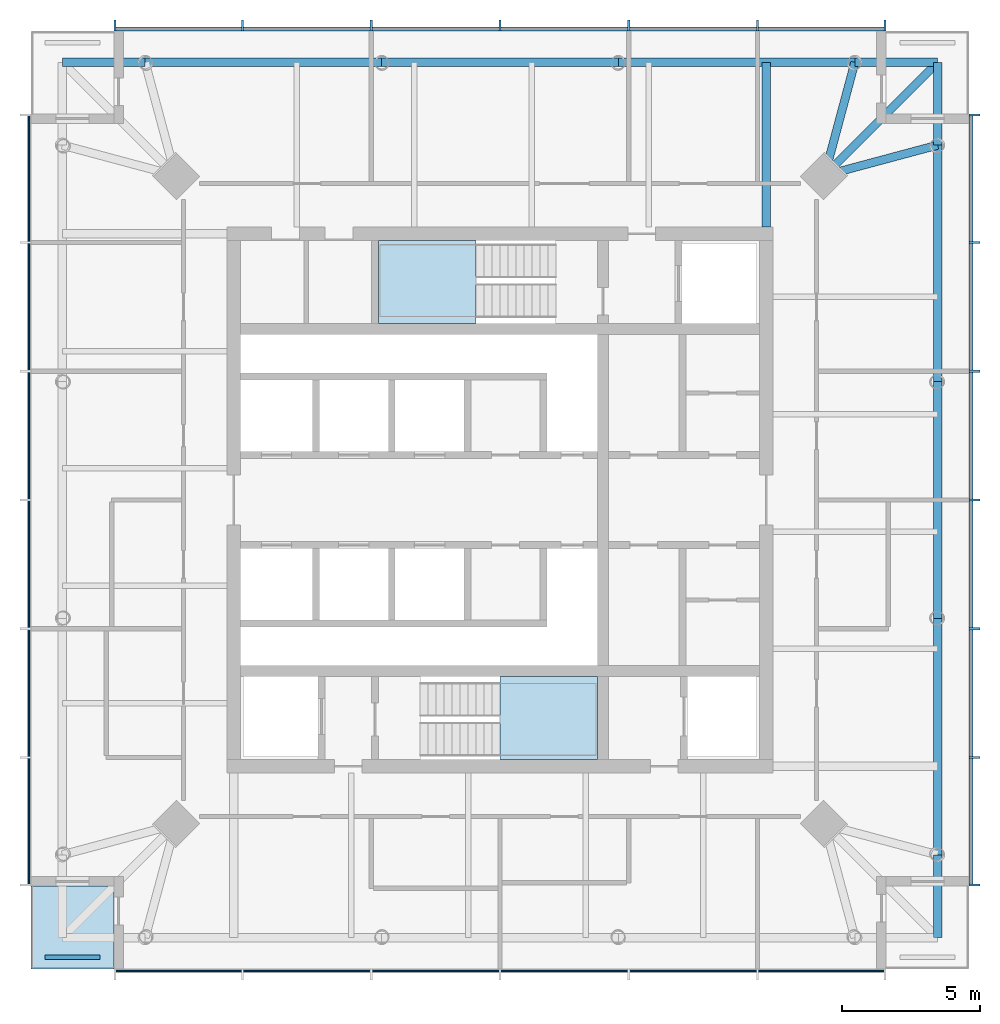
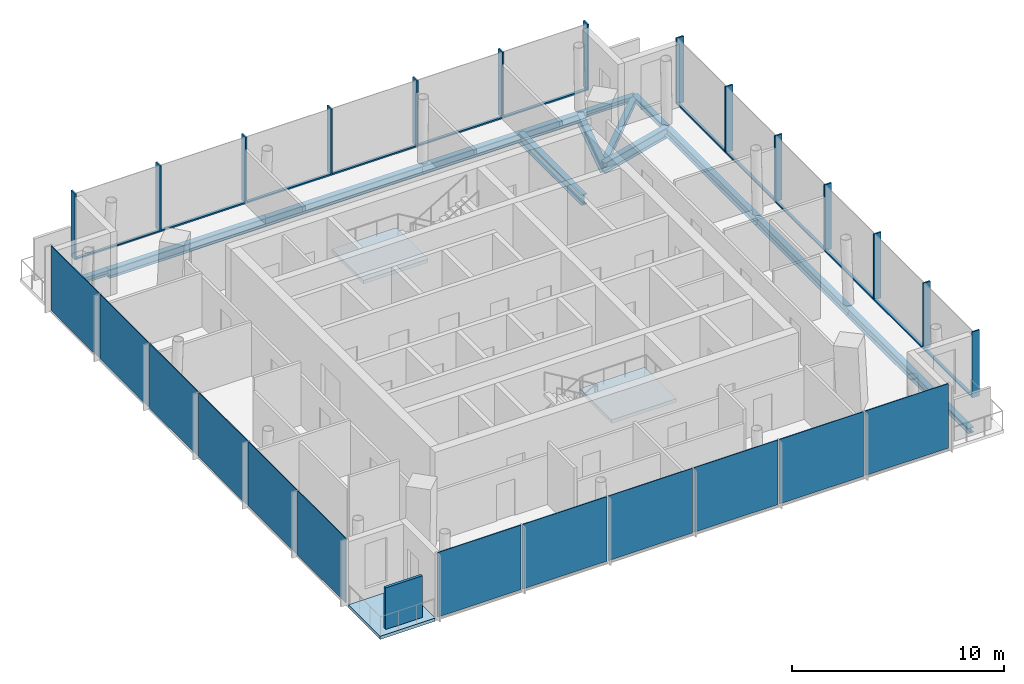
# One storey, part 2 of 7: 26 members, 14 beams, 13 plates, 3 slabs, 6 elements without a shape of their own.
"""IFC4 building model written with IfcOpenShell, lengths in metres."""

from ifc_helpers import new_model, si_unit, direction, frame, origin, origin_2d, place, context, subcontext, project, spatial, polyline, rectangle, i_section, outline, extrude, material, layer, layer_set, material_profile, profile_set, type_object, element, aggregate, save


model = new_model("IFC4")

# Units and contexts
model_context = context("Model", 3, precision=1e-05, world=origin(), true_north=direction((0.0, 1.0)))
body_context = subcontext(model_context, "Body", "Model", "MODEL_VIEW")
ifc_project = project(units=[si_unit("LENGTHUNIT", "METRE"), si_unit("AREAUNIT", "SQUARE_METRE"), si_unit("VOLUMEUNIT", "CUBIC_METRE"), si_unit("PLANEANGLEUNIT", "RADIAN"), si_unit("MASSUNIT", "GRAM", prefix="KILO")], contexts=[model_context])

# Site, building, storey
site_placement = place(None, origin())
site = spatial("IfcSite", under=ifc_project, at=site_placement, CompositionType="ELEMENT")
building_placement = place(site_placement, origin())
building = spatial("IfcBuilding", under=site, at=building_placement, Name="Ostroluk Exchange", CompositionType="ELEMENT")
storey_placement = place(building_placement, frame((0.0, 0.0, 275.60009765625)))
storey = spatial("IfcBuildingStorey", under=building, at=storey_placement, Name="L71", CompositionType="ELEMENT", Elevation=275.60009765625)

# Beams
ifc_material_1 = material(Name="Steel S355", Category="steel")
ifc_material_profile_1 = material_profile(ifc_material_1, i_section(OverallWidth=0.300048828125, OverallDepth=0.300048828125, WebThickness=0.010986328125, FlangeThickness=0.01904296875, FilletRadius=0.027099609375, at=origin_2d()), Name="HEB 300")
ifc_profile_set_1 = profile_set([ifc_material_profile_1], Name="Steel S355")
beam_type_1 = type_object("IfcBeamType", Name="Balcony beam HEB 300", PredefinedType="BEAM", material=ifc_profile_set_1)
for number, where, z_axis, x_axis, name in (
    (1, (60.8642578125, 58.8642578125, -0.330078125), (0.0, 1.0, 0.0), (-1.0, 0.0, 0.0), "T1 east balcony beam a"),
    (2, (57.8642578125, 61.8642578125, -0.330078125), (1.0, 0.0, 0.0), (0.0, 1.0, 0.0), "T1 east balcony beam b"),
):
    element("IfcBeam", number, at=place(storey_placement, frame(where, z_axis=z_axis, x_axis=x_axis)), inside=storey, type_object=beam_type_1, Name=name, PredefinedType="BEAM", context=body_context, shape_type="SweptSolid", body=[
        extrude(i_section(OverallWidth=0.300048828125, OverallDepth=0.300048828125, WebThickness=0.010986328125, FlangeThickness=0.01904296875, FilletRadius=0.027099609375, at=origin_2d()), origin(), (0.0, 0.0, 1.0), 3.0),
    ])
beam_1_placement = place(storey_placement, frame((56.764404296875, 57.764404296875, -0.330078125), z_axis=(0.707106781187, 0.707106781187, 0.0), x_axis=(-0.707106781187, 0.707106781187, 0.0)))
element("IfcBeam", 3, at=beam_1_placement, inside=storey, type_object=beam_type_1, Name="T1 east balcony beam c", PredefinedType="BEAM", context=body_context, shape_type="SweptSolid", body=[
    extrude(i_section(OverallWidth=0.300048828125, OverallDepth=0.300048828125, WebThickness=0.010986328125, FlangeThickness=0.01904296875, FilletRadius=0.027099609375, at=origin_2d()), origin(), (0.0, 0.0, 1.0), 5.798095703125),
])
for number, where, z_axis, x_axis, name in (
    (4, (32.1357421875, 61.8642578125, -0.330078125), (-1.0, 0.0, 0.0), (0.0, -1.0, 0.0), "T1 north balcony beam a"),
    (5, (60.8642578125, 33.1357421875, -0.330078125), (0.0, -1.0, 0.0), (1.0, 0.0, 0.0), "T1 south balcony beam b"),
):
    element("IfcBeam", number, at=place(storey_placement, frame(where, z_axis=z_axis, x_axis=x_axis)), inside=storey, type_object=beam_type_1, Name=name, PredefinedType="BEAM", context=body_context, shape_type="SweptSolid", body=[
        extrude(i_section(OverallWidth=0.300048828125, OverallDepth=0.300048828125, WebThickness=0.010986328125, FlangeThickness=0.01904296875, FilletRadius=0.027099609375, at=origin_2d()), origin(), (0.0, 0.0, 1.0), 3.0),
    ])
ifc_material_2 = material(Name="Steel S355", Category="steel")
ifc_material_profile_2 = material_profile(ifc_material_2, i_section(OverallWidth=0.300048828125, OverallDepth=0.60009765625, WebThickness=0.015380859375, FlangeThickness=0.030029296875, FilletRadius=0.027099609375, at=origin_2d()), Name="HEB 600")
ifc_profile_set_2 = profile_set([ifc_material_profile_2], Name="Steel S355")
beam_type_2 = type_object("IfcBeamType", Name="Corner edge beam HEB 600", PredefinedType="SPANDREL", material=ifc_profile_set_2)
for number, where, z_axis, x_axis, name in (
    (6, (56.764404296875, 57.764404296875, -0.47998046875), (0.965849156574, 0.259105011038, 0.0), (-0.259105011038, 0.965849156574, 0.0), "T1 east corner edge beam a"),
    (7, (56.764404296875, 57.764404296875, -0.47998046875), (0.259105011038, 0.965849156574, 0.0), (-0.965849156574, 0.259105011038, 0.0), "T1 east corner edge beam b"),
):
    element("IfcBeam", number, at=place(storey_placement, frame(where, z_axis=z_axis, x_axis=x_axis)), inside=storey, type_object=beam_type_2, Name=name, PredefinedType="SPANDREL", context=body_context, shape_type="SweptSolid", body=[
        extrude(i_section(OverallWidth=0.300048828125, OverallDepth=0.60009765625, WebThickness=0.015380859375, FlangeThickness=0.030029296875, FilletRadius=0.027099609375, at=origin_2d()), origin(), (0.0, 0.0, 1.0), 4.244873046875),
    ])
ifc_material_3 = material(Name="Steel S355", Category="steel")
ifc_material_profile_3 = material_profile(ifc_material_3, i_section(OverallWidth=0.300048828125, OverallDepth=0.60009765625, WebThickness=0.015380859375, FlangeThickness=0.030029296875, FilletRadius=0.027099609375, at=origin_2d()), Name="HEB 600")
ifc_profile_set_3 = profile_set([ifc_material_profile_3], Name="Steel S355")
beam_type_3 = type_object("IfcBeamType", Name="Girder HEB 600", PredefinedType="BEAM", material=ifc_profile_set_3)
beam_2_placement = place(storey_placement, frame((54.64990234375, 55.89990234375, -0.47998046875), z_axis=(0.0, 1.0, 0.0), x_axis=(-1.0, 0.0, 0.0)))
element("IfcBeam", 8, at=beam_2_placement, inside=storey, type_object=beam_type_3, Name="T1 east girder", PredefinedType="BEAM", context=body_context, shape_type="SweptSolid", body=[
    extrude(i_section(OverallWidth=0.300048828125, OverallDepth=0.60009765625, WebThickness=0.015380859375, FlangeThickness=0.030029296875, FilletRadius=0.027099609375, at=origin_2d()), origin(), (0.0, 0.0, 1.0), 5.96435546875),
])
ifc_material_4 = material(Name="Steel S355", Category="steel")
ifc_material_profile_4 = material_profile(ifc_material_4, i_section(OverallWidth=0.300048828125, OverallDepth=0.5, WebThickness=0.014404296875, FlangeThickness=0.028076171875, FilletRadius=0.027099609375, at=origin_2d()), Name="HEB 500")
ifc_profile_set_4 = profile_set([ifc_material_profile_4], Name="Steel S355")
beam_type_4 = type_object("IfcBeamType", Name="Moment-connected edge beam HEB 500", PredefinedType="SPANDREL", material=ifc_profile_set_4)
for number, where, z_axis, x_axis, name in (
    (9, (60.8642578125, 33.1357421875, -0.43017578125), (0.0, 1.0, 0.0), (-1.0, 0.0, 0.0), "T1 east edge beam 1"),
    (10, (60.8642578125, 41.7119140625, -0.43017578125), (0.0, 1.0, 0.0), (-1.0, 0.0, 0.0), "T1 east edge beam 2"),
    (11, (60.8642578125, 50.2880859375, -0.43017578125), (0.0, 1.0, 0.0), (-1.0, 0.0, 0.0), "T1 east edge beam 3"),
    (12, (57.8642578125, 61.8642578125, -0.43017578125), (-1.0, 0.0, 0.0), (0.0, -1.0, 0.0), "T1 north edge beam 1"),
    (13, (49.2880859375, 61.8642578125, -0.43017578125), (-1.0, 0.0, 0.0), (0.0, -1.0, 0.0), "T1 north edge beam 2"),
    (14, (40.7119140625, 61.8642578125, -0.43017578125), (-1.0, 0.0, 0.0), (0.0, -1.0, 0.0), "T1 north edge beam 3"),
):
    element("IfcBeam", number, at=place(storey_placement, frame(where, z_axis=z_axis, x_axis=x_axis)), inside=storey, type_object=beam_type_4, Name=name, PredefinedType="SPANDREL", context=body_context, shape_type="SweptSolid", body=[
        extrude(i_section(OverallWidth=0.300048828125, OverallDepth=0.5, WebThickness=0.014404296875, FlangeThickness=0.028076171875, FilletRadius=0.027099609375, at=origin_2d()), origin(), (0.0, 0.0, 1.0), 8.576171875),
    ])

# Curtain wall, members
ifc_material_5 = material(Name="Laminated clear glass", Category="glass")
curtain_wall_type = type_object("IfcCurtainWallType", Name="Office tower facade", PredefinedType="USERDEFINED", material=ifc_material_5)
curtain_wall_1_placement = place(storey_placement, origin())
curtain_wall_1 = element("IfcCurtainWall", 15, at=curtain_wall_1_placement, inside=storey, type_object=curtain_wall_type, Name="Office tower east facade L71", ObjectType="UNITISED CURTAIN WALL", PredefinedType="USERDEFINED")
ifc_material_6 = material(Name="Aluminium mullion", Category="aluminium")
ifc_material_profile_5 = material_profile(ifc_material_6, rectangle(XDim=0.14990234375, YDim=0.080078125, at=origin_2d()), Name="Sill transom 80 x 150")
ifc_profile_set_5 = profile_set([ifc_material_profile_5], Name="Aluminium mullion")
member_type_1 = type_object("IfcMemberType", Name="Sill transom 80 x 150", PredefinedType="USERDEFINED", material=ifc_profile_set_5)
member_1_placement = place(storey_placement, frame((62.074951171875, 32.080078125, 0.039794921875), z_axis=(0.0, 1.0, 0.0), x_axis=(-1.0, 0.0, 0.0)))
member_1 = element("IfcMember", 16, at=member_1_placement, type_object=member_type_1, Name="CW-O1 transom 1.1", ObjectType="TRANSOM", PredefinedType="USERDEFINED", context=body_context, shape_type="SweptSolid", body=[
    extrude(rectangle(XDim=0.14990234375, YDim=0.080078125, at=origin_2d()), origin(), (0.0, 0.0, 1.0), 4.546630859375),
])
member_2_placement = place(storey_placement, frame((62.074951171875, 36.706787109375, 0.039794921875), z_axis=(0.0, 1.0, 0.0), x_axis=(-1.0, 0.0, 0.0)))
member_2 = element("IfcMember", 17, at=member_2_placement, type_object=member_type_1, Name="CW-O1 transom 2.1", ObjectType="TRANSOM", PredefinedType="USERDEFINED", context=body_context, shape_type="SweptSolid", body=[
    extrude(rectangle(XDim=0.14990234375, YDim=0.080078125, at=origin_2d()), origin(), (0.0, 0.0, 1.0), 4.58642578125),
])
member_3_placement = place(storey_placement, frame((62.074951171875, 41.373291015625, 0.039794921875), z_axis=(0.0, 1.0, 0.0), x_axis=(-1.0, 0.0, 0.0)))
member_3 = element("IfcMember", 18, at=member_3_placement, type_object=member_type_1, Name="CW-O1 transom 3.1", ObjectType="TRANSOM", PredefinedType="USERDEFINED", context=body_context, shape_type="SweptSolid", body=[
    extrude(rectangle(XDim=0.14990234375, YDim=0.080078125, at=origin_2d()), origin(), (0.0, 0.0, 1.0), 4.586669921875),
])
member_4_placement = place(storey_placement, frame((62.074951171875, 46.0400390625, 0.039794921875), z_axis=(0.0, 1.0, 0.0), x_axis=(-1.0, 0.0, 0.0)))
member_4 = element("IfcMember", 19, at=member_4_placement, type_object=member_type_1, Name="CW-O1 transom 4.1", ObjectType="TRANSOM", PredefinedType="USERDEFINED", context=body_context, shape_type="SweptSolid", body=[
    extrude(rectangle(XDim=0.14990234375, YDim=0.080078125, at=origin_2d()), origin(), (0.0, 0.0, 1.0), 4.586669921875),
])
member_5_placement = place(storey_placement, frame((62.074951171875, 50.706787109375, 0.039794921875), z_axis=(0.0, 1.0, 0.0), x_axis=(-1.0, 0.0, 0.0)))
member_5 = element("IfcMember", 20, at=member_5_placement, type_object=member_type_1, Name="CW-O1 transom 5.1", ObjectType="TRANSOM", PredefinedType="USERDEFINED", context=body_context, shape_type="SweptSolid", body=[
    extrude(rectangle(XDim=0.14990234375, YDim=0.080078125, at=origin_2d()), origin(), (0.0, 0.0, 1.0), 4.58642578125),
])
member_6_placement = place(storey_placement, frame((62.074951171875, 55.373291015625, 0.039794921875), z_axis=(0.0, 1.0, 0.0), x_axis=(-1.0, 0.0, 0.0)))
member_6 = element("IfcMember", 21, at=member_6_placement, type_object=member_type_1, Name="CW-O1 transom 6.1", ObjectType="TRANSOM", PredefinedType="USERDEFINED", context=body_context, shape_type="SweptSolid", body=[
    extrude(rectangle(XDim=0.14990234375, YDim=0.080078125, at=origin_2d()), origin(), (0.0, 0.0, 1.0), 4.546630859375),
])

curtain_wall_2_placement = place(storey_placement, origin())
curtain_wall_2 = element("IfcCurtainWall", 22, at=curtain_wall_2_placement, inside=storey, type_object=curtain_wall_type, Name="Office tower north facade L71", ObjectType="UNITISED CURTAIN WALL", PredefinedType="USERDEFINED")
member_7_placement = place(storey_placement, frame((58.919921875, 63.074951171875, 0.039794921875), z_axis=(-1.0, 0.0, 0.0), x_axis=(0.0, -1.0, 0.0)))
member_7 = element("IfcMember", 23, at=member_7_placement, type_object=member_type_1, Name="CW-O1 transom 1.1", ObjectType="TRANSOM", PredefinedType="USERDEFINED", context=body_context, shape_type="SweptSolid", body=[
    extrude(rectangle(XDim=0.14990234375, YDim=0.080078125, at=origin_2d()), origin(), (0.0, 0.0, 1.0), 4.546630859375),
])
member_8_placement = place(storey_placement, frame((54.293212890625, 63.074951171875, 0.039794921875), z_axis=(-1.0, 0.0, 0.0), x_axis=(0.0, -1.0, 0.0)))
member_8 = element("IfcMember", 24, at=member_8_placement, type_object=member_type_1, Name="CW-O1 transom 2.1", ObjectType="TRANSOM", PredefinedType="USERDEFINED", context=body_context, shape_type="SweptSolid", body=[
    extrude(rectangle(XDim=0.14990234375, YDim=0.080078125, at=origin_2d()), origin(), (0.0, 0.0, 1.0), 4.58642578125),
])
member_9_placement = place(storey_placement, frame((49.626708984375, 63.074951171875, 0.039794921875), z_axis=(-1.0, 0.0, 0.0), x_axis=(0.0, -1.0, 0.0)))
member_9 = element("IfcMember", 25, at=member_9_placement, type_object=member_type_1, Name="CW-O1 transom 3.1", ObjectType="TRANSOM", PredefinedType="USERDEFINED", context=body_context, shape_type="SweptSolid", body=[
    extrude(rectangle(XDim=0.14990234375, YDim=0.080078125, at=origin_2d()), origin(), (0.0, 0.0, 1.0), 4.586669921875),
])
member_10_placement = place(storey_placement, frame((44.9599609375, 63.074951171875, 0.039794921875), z_axis=(-1.0, 0.0, 0.0), x_axis=(0.0, -1.0, 0.0)))
member_10 = element("IfcMember", 26, at=member_10_placement, type_object=member_type_1, Name="CW-O1 transom 4.1", ObjectType="TRANSOM", PredefinedType="USERDEFINED", context=body_context, shape_type="SweptSolid", body=[
    extrude(rectangle(XDim=0.14990234375, YDim=0.080078125, at=origin_2d()), origin(), (0.0, 0.0, 1.0), 4.586669921875),
])
member_11_placement = place(storey_placement, frame((40.293212890625, 63.074951171875, 0.039794921875), z_axis=(-1.0, 0.0, 0.0), x_axis=(0.0, -1.0, 0.0)))
member_11 = element("IfcMember", 27, at=member_11_placement, type_object=member_type_1, Name="CW-O1 transom 5.1", ObjectType="TRANSOM", PredefinedType="USERDEFINED", context=body_context, shape_type="SweptSolid", body=[
    extrude(rectangle(XDim=0.14990234375, YDim=0.080078125, at=origin_2d()), origin(), (0.0, 0.0, 1.0), 4.58642578125),
])
member_12_placement = place(storey_placement, frame((35.626708984375, 63.074951171875, 0.039794921875), z_axis=(-1.0, 0.0, 0.0), x_axis=(0.0, -1.0, 0.0)))
member_12 = element("IfcMember", 28, at=member_12_placement, type_object=member_type_1, Name="CW-O1 transom 6.1", ObjectType="TRANSOM", PredefinedType="USERDEFINED", context=body_context, shape_type="SweptSolid", body=[
    extrude(rectangle(XDim=0.14990234375, YDim=0.080078125, at=origin_2d()), origin(), (0.0, 0.0, 1.0), 4.546630859375),
])

# Member
ifc_material_7 = material(Name="Aluminium mullion with limestone facing", Category="masonry")
ifc_material_profile_6 = material_profile(ifc_material_7, rectangle(XDim=0.39990234375, YDim=0.080078125, at=origin_2d()), Name="Tracery mullion 80 x 400")
ifc_profile_set_6 = profile_set([ifc_material_profile_6], Name="Aluminium mullion with limestone facing")
member_type_2 = type_object("IfcMemberType", Name="Tracery mullion 80 x 400", PredefinedType="MULLION", material=ifc_profile_set_6)
member_13_placement = place(storey_placement, frame((62.199951171875, 32.0400390625, 0.0), z_axis=(0.0, 0.0, 1.0), x_axis=(-1.0, 0.0, 0.0)))
member_13 = element("IfcMember", 29, at=member_13_placement, type_object=member_type_2, Name="CW-O1 mullion 1", PredefinedType="MULLION", context=body_context, shape_type="SweptSolid", body=[
    extrude(rectangle(XDim=0.39990234375, YDim=0.080078125, at=origin_2d()), origin(), (0.0, 0.0, 1.0), 3.7998046875),
])

member_14_placement = place(storey_placement, frame((62.199951171875, 36.666748046875, 0.0), z_axis=(0.0, 0.0, 1.0), x_axis=(-1.0, 0.0, 0.0)))
member_14 = element("IfcMember", 30, at=member_14_placement, type_object=member_type_2, Name="CW-O1 mullion 2", PredefinedType="MULLION", context=body_context, shape_type="SweptSolid", body=[
    extrude(rectangle(XDim=0.39990234375, YDim=0.080078125, at=origin_2d()), origin(), (0.0, 0.0, 1.0), 3.7998046875),
])

member_15_placement = place(storey_placement, frame((62.199951171875, 41.333251953125, 0.0), z_axis=(0.0, 0.0, 1.0), x_axis=(-1.0, 0.0, 0.0)))
member_15 = element("IfcMember", 31, at=member_15_placement, type_object=member_type_2, Name="CW-O1 mullion 3", PredefinedType="MULLION", context=body_context, shape_type="SweptSolid", body=[
    extrude(rectangle(XDim=0.39990234375, YDim=0.080078125, at=origin_2d()), origin(), (0.0, 0.0, 1.0), 3.7998046875),
])

member_16_placement = place(storey_placement, frame((62.199951171875, 46.0, 0.0), z_axis=(0.0, 0.0, 1.0), x_axis=(-1.0, 0.0, 0.0)))
member_16 = element("IfcMember", 32, at=member_16_placement, type_object=member_type_2, Name="CW-O1 mullion 4", PredefinedType="MULLION", context=body_context, shape_type="SweptSolid", body=[
    extrude(rectangle(XDim=0.39990234375, YDim=0.080078125, at=origin_2d()), origin(), (0.0, 0.0, 1.0), 3.7998046875),
])

member_17_placement = place(storey_placement, frame((62.199951171875, 50.666748046875, 0.0), z_axis=(0.0, 0.0, 1.0), x_axis=(-1.0, 0.0, 0.0)))
member_17 = element("IfcMember", 33, at=member_17_placement, type_object=member_type_2, Name="CW-O1 mullion 5", PredefinedType="MULLION", context=body_context, shape_type="SweptSolid", body=[
    extrude(rectangle(XDim=0.39990234375, YDim=0.080078125, at=origin_2d()), origin(), (0.0, 0.0, 1.0), 3.7998046875),
])

member_18_placement = place(storey_placement, frame((62.199951171875, 55.333251953125, 0.0), z_axis=(0.0, 0.0, 1.0), x_axis=(-1.0, 0.0, 0.0)))
member_18 = element("IfcMember", 34, at=member_18_placement, type_object=member_type_2, Name="CW-O1 mullion 6", PredefinedType="MULLION", context=body_context, shape_type="SweptSolid", body=[
    extrude(rectangle(XDim=0.39990234375, YDim=0.080078125, at=origin_2d()), origin(), (0.0, 0.0, 1.0), 3.7998046875),
])

member_19_placement = place(storey_placement, frame((62.199951171875, 59.9599609375, 0.0), z_axis=(0.0, 0.0, 1.0), x_axis=(-1.0, 0.0, 0.0)))
member_19 = element("IfcMember", 35, at=member_19_placement, type_object=member_type_2, Name="CW-O1 mullion 7", PredefinedType="MULLION", context=body_context, shape_type="SweptSolid", body=[
    extrude(rectangle(XDim=0.39990234375, YDim=0.080078125, at=origin_2d()), origin(), (0.0, 0.0, 1.0), 3.7998046875),
])

aggregate(curtain_wall_1, [member_13, member_14, member_15, member_16, member_17, member_18, member_19, member_1, member_2, member_3, member_4, member_5, member_6])

member_20_placement = place(storey_placement, frame((58.9599609375, 63.199951171875, 0.0), z_axis=(0.0, 0.0, 1.0), x_axis=(0.0, -1.0, 0.0)))
member_20 = element("IfcMember", 36, at=member_20_placement, type_object=member_type_2, Name="CW-O1 mullion 1", PredefinedType="MULLION", context=body_context, shape_type="SweptSolid", body=[
    extrude(rectangle(XDim=0.39990234375, YDim=0.080078125, at=origin_2d()), origin(), (0.0, 0.0, 1.0), 3.7998046875),
])

member_21_placement = place(storey_placement, frame((54.333251953125, 63.199951171875, 0.0), z_axis=(0.0, 0.0, 1.0), x_axis=(0.0, -1.0, 0.0)))
member_21 = element("IfcMember", 37, at=member_21_placement, type_object=member_type_2, Name="CW-O1 mullion 2", PredefinedType="MULLION", context=body_context, shape_type="SweptSolid", body=[
    extrude(rectangle(XDim=0.39990234375, YDim=0.080078125, at=origin_2d()), origin(), (0.0, 0.0, 1.0), 3.7998046875),
])

member_22_placement = place(storey_placement, frame((49.666748046875, 63.199951171875, 0.0), z_axis=(0.0, 0.0, 1.0), x_axis=(0.0, -1.0, 0.0)))
member_22 = element("IfcMember", 38, at=member_22_placement, type_object=member_type_2, Name="CW-O1 mullion 3", PredefinedType="MULLION", context=body_context, shape_type="SweptSolid", body=[
    extrude(rectangle(XDim=0.39990234375, YDim=0.080078125, at=origin_2d()), origin(), (0.0, 0.0, 1.0), 3.7998046875),
])

member_23_placement = place(storey_placement, frame((45.0, 63.199951171875, 0.0), z_axis=(0.0, 0.0, 1.0), x_axis=(0.0, -1.0, 0.0)))
member_23 = element("IfcMember", 39, at=member_23_placement, type_object=member_type_2, Name="CW-O1 mullion 4", PredefinedType="MULLION", context=body_context, shape_type="SweptSolid", body=[
    extrude(rectangle(XDim=0.39990234375, YDim=0.080078125, at=origin_2d()), origin(), (0.0, 0.0, 1.0), 3.7998046875),
])

member_24_placement = place(storey_placement, frame((40.333251953125, 63.199951171875, 0.0), z_axis=(0.0, 0.0, 1.0), x_axis=(0.0, -1.0, 0.0)))
member_24 = element("IfcMember", 40, at=member_24_placement, type_object=member_type_2, Name="CW-O1 mullion 5", PredefinedType="MULLION", context=body_context, shape_type="SweptSolid", body=[
    extrude(rectangle(XDim=0.39990234375, YDim=0.080078125, at=origin_2d()), origin(), (0.0, 0.0, 1.0), 3.7998046875),
])

member_25_placement = place(storey_placement, frame((35.666748046875, 63.199951171875, 0.0), z_axis=(0.0, 0.0, 1.0), x_axis=(0.0, -1.0, 0.0)))
member_25 = element("IfcMember", 41, at=member_25_placement, type_object=member_type_2, Name="CW-O1 mullion 6", PredefinedType="MULLION", context=body_context, shape_type="SweptSolid", body=[
    extrude(rectangle(XDim=0.39990234375, YDim=0.080078125, at=origin_2d()), origin(), (0.0, 0.0, 1.0), 3.7998046875),
])

member_26_placement = place(storey_placement, frame((31.0400390625, 63.199951171875, 0.0), z_axis=(0.0, 0.0, 1.0), x_axis=(0.0, -1.0, 0.0)))
member_26 = element("IfcMember", 42, at=member_26_placement, type_object=member_type_2, Name="CW-O1 mullion 7", PredefinedType="MULLION", context=body_context, shape_type="SweptSolid", body=[
    extrude(rectangle(XDim=0.39990234375, YDim=0.080078125, at=origin_2d()), origin(), (0.0, 0.0, 1.0), 3.7998046875),
])

aggregate(curtain_wall_2, [member_20, member_21, member_22, member_23, member_24, member_25, member_26, member_7, member_8, member_9, member_10, member_11, member_12])

# Slab
ifc_material_8 = material(Name="Concrete C35/45", Category="concrete")
ifc_layer_1 = layer(ifc_material_8, 0.179931640625)
ifc_layer_set_1 = layer_set([ifc_layer_1], Name="Balcony slab 180")
slab_type_1 = type_object("IfcSlabType", Name="Balcony slab 180", PredefinedType="USERDEFINED", material=ifc_layer_set_1)
slab_1_placement = place(storey_placement, frame((0.0, 0.0, -0.18017578125)))
element("IfcSlab", 43, at=slab_1_placement, inside=storey, type_object=slab_type_1, Name="Office tower SW corner balcony L71", ObjectType="BALCONY", PredefinedType="USERDEFINED", context=body_context, shape_type="SweptSolid", body=[
    extrude(outline(polyline([(28.0, 29.0), (31.0, 29.0), (31.0, 32.0), (28.0, 32.0), (28.0, 29.0)])), origin(), (0.0, 0.0, 1.0), 0.18017578125),
])

# Plate
ifc_material_9 = material(Name="Steel S355 trellis with planting", Category="steel")
ifc_layer_2 = layer(ifc_material_9, 0.14990234375)
ifc_layer_set_2 = layer_set([ifc_layer_2], Name="Planted screen 150")
plate_type_1 = type_object("IfcPlateType", Name="Planted screen 150", PredefinedType="USERDEFINED", material=ifc_layer_set_2)
plate_1_placement = place(storey_placement, frame((29.5, 29.425048828125, 0.0), z_axis=(0.0, 0.0, 1.0), x_axis=(1.0, 0.0, 0.0)))
element("IfcPlate", 44, at=plate_1_placement, inside=storey, type_object=plate_type_1, Name="Office tower SW planted screen L71", ObjectType="PLANTED SCREEN", PredefinedType="USERDEFINED", context=body_context, shape_type="SweptSolid", body=[
    extrude(rectangle(XDim=2.0, YDim=0.14990234375, at=origin_2d()), origin(), (0.0, 0.0, 1.0), 2.39990234375),
])

# Stair, slab
ifc_material_10 = material(Name="Concrete C30/37", Category="concrete")
stair_type = type_object("IfcStairType", Name="Exit stair half turn 3800", PredefinedType="HALF_TURN_STAIR", material=ifc_material_10)
stair_1_placement = place(storey_placement, origin())
stair_1 = element("IfcStair", 45, at=stair_1_placement, inside=storey, type_object=stair_type, Name="Stair T1-S1 L71", PredefinedType="HALF_TURN_STAIR")
ifc_material_11 = material(Name="Concrete C30/37", Category="concrete")
ifc_layer_3 = layer(ifc_material_11, 0.199951171875)
ifc_layer_set_3 = layer_set([ifc_layer_3], Name="Stair landing 200")
slab_type_2 = type_object("IfcSlabType", Name="Stair landing 200", PredefinedType="LANDING", material=ifc_layer_set_3)
slab_2_placement = place(storey_placement, frame((0.0, 0.0, 1.699951171875)))
slab_2 = element("IfcSlab", 46, at=slab_2_placement, type_object=slab_type_2, Name="T1-S1 landing 1", PredefinedType="LANDING", context=body_context, shape_type="SweptSolid", body=[
    extrude(outline(polyline([(45.0, 36.60009765625), (45.0, 39.60009765625), (48.530029296875, 39.60009765625), (48.530029296875, 36.60009765625), (45.0, 36.60009765625)])), origin(), (0.0, 0.0, 1.0), 0.199951171875),
])
aggregate(stair_1, [slab_2])

stair_2_placement = place(storey_placement, origin())
stair_2 = element("IfcStair", 47, at=stair_2_placement, inside=storey, type_object=stair_type, Name="Stair T1-S2 L71", PredefinedType="HALF_TURN_STAIR")
slab_3_placement = place(storey_placement, frame((0.0, 0.0, 1.699951171875)))
slab_3 = element("IfcSlab", 48, at=slab_3_placement, type_object=slab_type_2, Name="T1-S2 landing 1", PredefinedType="LANDING", context=body_context, shape_type="SweptSolid", body=[
    extrude(outline(polyline([(44.1298828125, 52.39990234375), (44.1298828125, 55.39990234375), (40.60009765625, 55.39990234375), (40.60009765625, 52.39990234375), (44.1298828125, 52.39990234375)])), origin(), (0.0, 0.0, 1.0), 0.199951171875),
])
aggregate(stair_2, [slab_3])

# Curtain wall, plates
curtain_wall_3_placement = place(storey_placement, origin())
curtain_wall_3 = element("IfcCurtainWall", 49, at=curtain_wall_3_placement, inside=storey, type_object=curtain_wall_type, Name="Office tower south facade L71", ObjectType="UNITISED CURTAIN WALL", PredefinedType="USERDEFINED")
ifc_material_12 = material(Name="Laminated clear glass", Category="glass")
ifc_layer_4 = layer(ifc_material_12, 0.0439453125)
ifc_layer_set_4 = layer_set([ifc_layer_4], Name="Triple laminated clear glazing 44")
plate_type_2 = type_object("IfcPlateType", Name="Triple laminated clear glazing 44", PredefinedType="CURTAIN_PANEL", material=ifc_layer_set_4)
plate_2_placement = place(storey_placement, frame((33.353271484375, 28.925048828125, 0.080078125), z_axis=(0.0, 0.0, 1.0), x_axis=(1.0, 0.0, 0.0)))
plate_2 = element("IfcPlate", 50, at=plate_2_placement, type_object=plate_type_2, Name="CW-O1 panel 1.1", PredefinedType="CURTAIN_PANEL", context=body_context, shape_type="SweptSolid", body=[
    extrude(rectangle(XDim=4.546630859375, YDim=0.0439453125, at=origin_2d()), origin(), (0.0, 0.0, 1.0), 3.719970703125),
])
plate_3_placement = place(storey_placement, frame((38.0, 28.925048828125, 0.080078125), z_axis=(0.0, 0.0, 1.0), x_axis=(1.0, 0.0, 0.0)))
plate_3 = element("IfcPlate", 51, at=plate_3_placement, type_object=plate_type_2, Name="CW-O1 panel 2.1", PredefinedType="CURTAIN_PANEL", context=body_context, shape_type="SweptSolid", body=[
    extrude(rectangle(XDim=4.586669921875, YDim=0.0439453125, at=origin_2d()), origin(), (0.0, 0.0, 1.0), 3.719970703125),
])
plate_4_placement = place(storey_placement, frame((42.666748046875, 28.925048828125, 0.080078125), z_axis=(0.0, 0.0, 1.0), x_axis=(1.0, 0.0, 0.0)))
plate_4 = element("IfcPlate", 52, at=plate_4_placement, type_object=plate_type_2, Name="CW-O1 panel 3.1", PredefinedType="CURTAIN_PANEL", context=body_context, shape_type="SweptSolid", body=[
    extrude(rectangle(XDim=4.586669921875, YDim=0.0439453125, at=origin_2d()), origin(), (0.0, 0.0, 1.0), 3.719970703125),
])
plate_5_placement = place(storey_placement, frame((47.333251953125, 28.925048828125, 0.080078125), z_axis=(0.0, 0.0, 1.0), x_axis=(1.0, 0.0, 0.0)))
plate_5 = element("IfcPlate", 53, at=plate_5_placement, type_object=plate_type_2, Name="CW-O1 panel 4.1", PredefinedType="CURTAIN_PANEL", context=body_context, shape_type="SweptSolid", body=[
    extrude(rectangle(XDim=4.586669921875, YDim=0.0439453125, at=origin_2d()), origin(), (0.0, 0.0, 1.0), 3.719970703125),
])
plate_6_placement = place(storey_placement, frame((52.0, 28.925048828125, 0.080078125), z_axis=(0.0, 0.0, 1.0), x_axis=(1.0, 0.0, 0.0)))
plate_6 = element("IfcPlate", 54, at=plate_6_placement, type_object=plate_type_2, Name="CW-O1 panel 5.1", PredefinedType="CURTAIN_PANEL", context=body_context, shape_type="SweptSolid", body=[
    extrude(rectangle(XDim=4.586669921875, YDim=0.0439453125, at=origin_2d()), origin(), (0.0, 0.0, 1.0), 3.719970703125),
])
plate_7_placement = place(storey_placement, frame((56.646728515625, 28.925048828125, 0.080078125), z_axis=(0.0, 0.0, 1.0), x_axis=(1.0, 0.0, 0.0)))
plate_7 = element("IfcPlate", 55, at=plate_7_placement, type_object=plate_type_2, Name="CW-O1 panel 6.1", PredefinedType="CURTAIN_PANEL", context=body_context, shape_type="SweptSolid", body=[
    extrude(rectangle(XDim=4.546630859375, YDim=0.0439453125, at=origin_2d()), origin(), (0.0, 0.0, 1.0), 3.719970703125),
])
aggregate(curtain_wall_3, [plate_2, plate_3, plate_4, plate_5, plate_6, plate_7])

curtain_wall_4_placement = place(storey_placement, origin())
curtain_wall_4 = element("IfcCurtainWall", 56, at=curtain_wall_4_placement, inside=storey, type_object=curtain_wall_type, Name="Office tower west facade L71", ObjectType="UNITISED CURTAIN WALL", PredefinedType="USERDEFINED")
plate_8_placement = place(storey_placement, frame((27.925048828125, 57.646728515625, 0.080078125), z_axis=(0.0, 0.0, 1.0), x_axis=(0.0, -1.0, 0.0)))
plate_8 = element("IfcPlate", 57, at=plate_8_placement, type_object=plate_type_2, Name="CW-O1 panel 1.1", PredefinedType="CURTAIN_PANEL", context=body_context, shape_type="SweptSolid", body=[
    extrude(rectangle(XDim=4.546630859375, YDim=0.0439453125, at=origin_2d()), origin(), (0.0, 0.0, 1.0), 3.719970703125),
])
plate_9_placement = place(storey_placement, frame((27.925048828125, 53.0, 0.080078125), z_axis=(0.0, 0.0, 1.0), x_axis=(0.0, -1.0, 0.0)))
plate_9 = element("IfcPlate", 58, at=plate_9_placement, type_object=plate_type_2, Name="CW-O1 panel 2.1", PredefinedType="CURTAIN_PANEL", context=body_context, shape_type="SweptSolid", body=[
    extrude(rectangle(XDim=4.586669921875, YDim=0.0439453125, at=origin_2d()), origin(), (0.0, 0.0, 1.0), 3.719970703125),
])
plate_10_placement = place(storey_placement, frame((27.925048828125, 48.333251953125, 0.080078125), z_axis=(0.0, 0.0, 1.0), x_axis=(0.0, -1.0, 0.0)))
plate_10 = element("IfcPlate", 59, at=plate_10_placement, type_object=plate_type_2, Name="CW-O1 panel 3.1", PredefinedType="CURTAIN_PANEL", context=body_context, shape_type="SweptSolid", body=[
    extrude(rectangle(XDim=4.586669921875, YDim=0.0439453125, at=origin_2d()), origin(), (0.0, 0.0, 1.0), 3.719970703125),
])
plate_11_placement = place(storey_placement, frame((27.925048828125, 43.666748046875, 0.080078125), z_axis=(0.0, 0.0, 1.0), x_axis=(0.0, -1.0, 0.0)))
plate_11 = element("IfcPlate", 60, at=plate_11_placement, type_object=plate_type_2, Name="CW-O1 panel 4.1", PredefinedType="CURTAIN_PANEL", context=body_context, shape_type="SweptSolid", body=[
    extrude(rectangle(XDim=4.586669921875, YDim=0.0439453125, at=origin_2d()), origin(), (0.0, 0.0, 1.0), 3.719970703125),
])
plate_12_placement = place(storey_placement, frame((27.925048828125, 39.0, 0.080078125), z_axis=(0.0, 0.0, 1.0), x_axis=(0.0, -1.0, 0.0)))
plate_12 = element("IfcPlate", 61, at=plate_12_placement, type_object=plate_type_2, Name="CW-O1 panel 5.1", PredefinedType="CURTAIN_PANEL", context=body_context, shape_type="SweptSolid", body=[
    extrude(rectangle(XDim=4.586669921875, YDim=0.0439453125, at=origin_2d()), origin(), (0.0, 0.0, 1.0), 3.719970703125),
])
plate_13_placement = place(storey_placement, frame((27.925048828125, 34.353271484375, 0.080078125), z_axis=(0.0, 0.0, 1.0), x_axis=(0.0, -1.0, 0.0)))
plate_13 = element("IfcPlate", 62, at=plate_13_placement, type_object=plate_type_2, Name="CW-O1 panel 6.1", PredefinedType="CURTAIN_PANEL", context=body_context, shape_type="SweptSolid", body=[
    extrude(rectangle(XDim=4.546630859375, YDim=0.0439453125, at=origin_2d()), origin(), (0.0, 0.0, 1.0), 3.719970703125),
])
aggregate(curtain_wall_4, [plate_8, plate_9, plate_10, plate_11, plate_12, plate_13])

save(model, "model.ifc")
